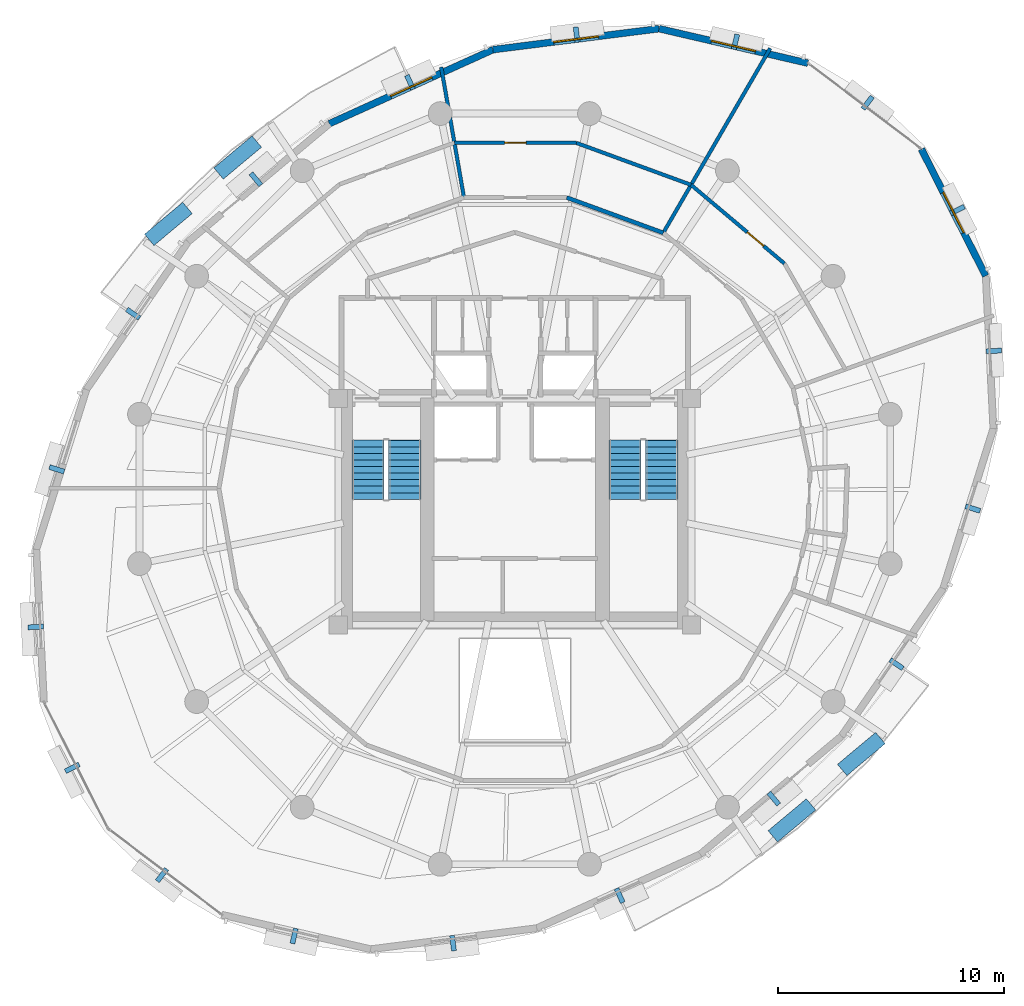
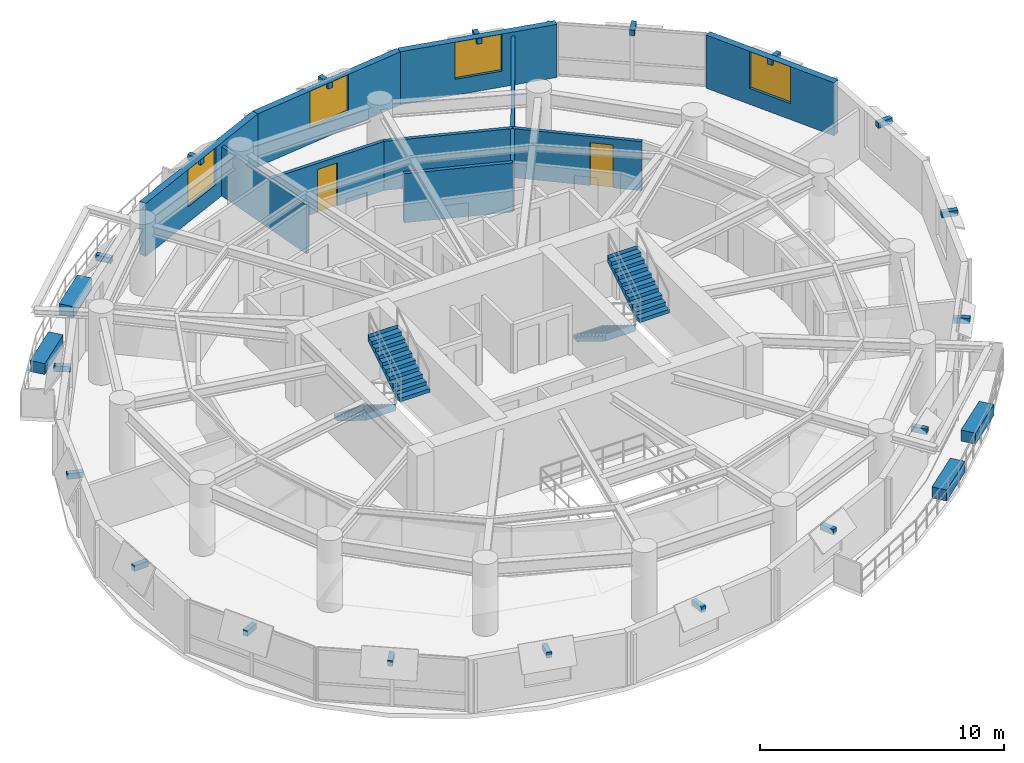
# One storey, part 10 of 12: 22 discrete accessories, 10 walls, 4 stair flights, 4 windows, 2 doors, 6 openings, 2 elements without a shape of their own.
"""IFC4 building model written with IfcOpenShell, lengths in metres."""

from ifc_helpers import new_model, si_unit, direction, frame, frame_2d, origin, origin_2d, place, context, subcontext, project, spatial, polyline, rectangle, outline, extrude, material, layer, layer_set, type_object, element, fill, aggregate, save


model = new_model("IFC4")

# Units and contexts
model_context = context("Model", 3, precision=1e-05, world=origin(), true_north=direction((0.0, 1.0)))
body_context = subcontext(model_context, "Body", "Model", "MODEL_VIEW")
ifc_project = project(units=[si_unit("LENGTHUNIT", "METRE"), si_unit("AREAUNIT", "SQUARE_METRE"), si_unit("VOLUMEUNIT", "CUBIC_METRE"), si_unit("PLANEANGLEUNIT", "RADIAN"), si_unit("MASSUNIT", "GRAM", prefix="KILO"), si_unit("THERMODYNAMICTEMPERATUREUNIT", "KELVIN"), si_unit("POWERUNIT", "WATT")], contexts=[model_context])

# Site, building, storey
site_placement = place(None, origin())
site = spatial("IfcSite", under=ifc_project, at=site_placement, CompositionType="ELEMENT")
building_placement = place(site_placement, origin())
building = spatial("IfcBuilding", under=site, at=building_placement, Name="Ocrelia Relay Tower", CompositionType="ELEMENT")
storey_placement = place(building_placement, frame((0.0, 0.0, 198.800048828125)))
storey = spatial("IfcBuildingStorey", under=building, at=storey_placement, Name="L48", CompositionType="ELEMENT", Elevation=198.800048828125)

# Wall
ifc_material_1 = material(Name="Gypsum Fireboard Partition EI60", Category="gypsum")
ifc_layer_1 = layer(ifc_material_1, 0.179931640625, Name="Gypsum Fireboard Partition EI60")
ifc_layer_set_1 = layer_set([ifc_layer_1], Name="Gypsum Fireboard Partition EI60")
wall_type_1 = type_object("IfcWallType", Name="W-CORR-EI60-180", PredefinedType="PARTITIONING", material=ifc_layer_set_1)
wall_1_placement = place(storey_placement, frame((40.5546875, 37.3076171875, 0.0), z_axis=(0.0, 0.0, 1.0), x_axis=(-0.93910210925, 0.343638223139, 0.0)))
element("IfcWall", 1, at=wall_1_placement, inside=storey, type_object=wall_type_1, Name="L48 Security Office C Corridor Partition 1", PredefinedType="PARTITIONING", context=body_context, shape_type="SweptSolid", body=[
    extrude(rectangle(XDim=4.5390625, YDim=0.179931640625, at=frame_2d((2.26953125, 0.0))), origin(), (0.0, 0.0, 1.0), 2.4599609375),
])

# Wall, opening, window
ifc_material_2 = material(Name="Precast concrete C40/50 with oxide terracotta", Category="masonry")
ifc_layer_2 = layer(ifc_material_2, 0.300048828125, Name="Precast concrete C40/50 with oxide terracotta")
ifc_layer_set_2 = layer_set([ifc_layer_2], Name="Precast concrete C40/50 with oxide terracotta")
wall_type_2 = type_object("IfcWallType", Name="W-EXT-TERR-300", PredefinedType="SOLIDWALL", material=ifc_layer_set_2)
wall_2_placement = place(storey_placement, frame((46.94189453125, 44.801513671875, 0.0), z_axis=(0.0, 0.0, 1.0), x_axis=(-0.9741502795, 0.225900936141, 0.0)))
wall_2 = element("IfcWall", 2, at=wall_2_placement, inside=storey, type_object=wall_type_2, Name="L48 Oxide Terracotta Facade Wall 02", PredefinedType="SOLIDWALL", context=body_context, shape_type="SweptSolid", body=[
    extrude(rectangle(XDim=6.744873046875, YDim=0.300048828125, at=frame_2d((3.37255859375, 0.0))), origin(), (0.0, 0.0, 1.0), 2.659912109375),
])
opening_1_placement = place(wall_2_placement, frame((2.373046875, 0.0, 0.800048828125)))
opening_1 = element("IfcOpeningElement", 3, at=opening_1_placement, cuts=wall_2, Name="Opening W-03", PredefinedType="OPENING", context=body_context, shape_type="SweptSolid", body=[
    extrude(rectangle(XDim=2.0, YDim=1.85009765625, at=frame_2d((1.0, 0.925048828125))), frame((0.0, 0.16015625, 0.0), z_axis=(0.0, -1.0, 0.0), x_axis=(1.0, 0.0, 0.0)), (0.0, 0.0, 1.0), 0.320068359375),
])
ifc_material_3 = material(Name="Clear double-glazed low-E glass", Category="glass")
window_type = type_object("IfcWindowType", Name="WIN-Z3-2000x2200", PartitioningType="DOUBLE_PANEL_VERTICAL", PredefinedType="WINDOW", material=ifc_material_3)
window_1_placement = place(opening_1_placement, origin())
window_1 = element("IfcWindow", 4, at=window_1_placement, inside=storey, type_object=window_type, Name="L48 Facade Module Window 02", OverallHeight=1.85009765625, OverallWidth=2.0, PartitioningType="SINGLE_PANEL", PredefinedType="WINDOW", context=body_context, shape_type="SweptSolid", body=[
    extrude(rectangle(XDim=2.0, YDim=1.85009765625, at=frame_2d((1.0, 0.925048828125))), frame((0.0, 0.030029296875, 0.0), z_axis=(0.0, -1.0, 0.0), x_axis=(1.0, 0.0, 0.0)), (0.0, 0.0, 1.0), 0.06005859375),
])
fill(opening_1, window_1)

wall_3_placement = place(storey_placement, frame((40.371337890625, 46.3251953125, 0.0), z_axis=(0.0, 0.0, 1.0), x_axis=(-0.992104797667, -0.12541160411, 0.0)))
wall_3 = element("IfcWall", 5, at=wall_3_placement, inside=storey, type_object=wall_type_2, Name="L48 Oxide Terracotta Facade Wall 03", PredefinedType="SOLIDWALL", context=body_context, shape_type="SweptSolid", body=[
    extrude(rectangle(XDim=7.3974609375, YDim=0.300048828125, at=frame_2d((3.69873046875, 0.0))), origin(), (0.0, 0.0, 1.0), 2.659912109375),
])
opening_2_placement = place(wall_3_placement, frame((2.698974609375, 0.0, 0.800048828125)))
opening_2 = element("IfcOpeningElement", 6, at=opening_2_placement, cuts=wall_3, Name="Opening W-03", PredefinedType="OPENING", context=body_context, shape_type="SweptSolid", body=[
    extrude(rectangle(XDim=2.0, YDim=1.85009765625, at=frame_2d((1.0, 0.925048828125))), frame((0.0, 0.16015625, 0.0), z_axis=(0.0, -1.0, 0.0), x_axis=(1.0, 0.0, 0.0)), (0.0, 0.0, 1.0), 0.320068359375),
])
window_2_placement = place(opening_2_placement, origin())
window_2 = element("IfcWindow", 7, at=window_2_placement, inside=storey, type_object=window_type, Name="L48 Facade Module Window 03", OverallHeight=1.85009765625, OverallWidth=2.0, PartitioningType="SINGLE_PANEL", PredefinedType="WINDOW", context=body_context, shape_type="SweptSolid", body=[
    extrude(rectangle(XDim=2.0, YDim=1.85009765625, at=frame_2d((1.0, 0.925048828125))), frame((0.0, 0.030029296875, 0.0), z_axis=(0.0, -1.0, 0.0), x_axis=(1.0, 0.0, 0.0)), (0.0, 0.0, 1.0), 0.06005859375),
])
fill(opening_2, window_2)

wall_4_placement = place(storey_placement, frame((33.0322265625, 45.3974609375, 0.0), z_axis=(0.0, 0.0, 1.0), x_axis=(-0.911105444466, -0.412173348318, 0.0)))
wall_4 = element("IfcWall", 8, at=wall_4_placement, inside=storey, type_object=wall_type_2, Name="L48 Oxide Terracotta Facade Wall 04", PredefinedType="SOLIDWALL", context=body_context, shape_type="SweptSolid", body=[
    extrude(rectangle(XDim=7.927001953125, YDim=0.300048828125, at=frame_2d((3.96337890625, 0.0))), origin(), (0.0, 0.0, 1.0), 2.659912109375),
])
opening_3_placement = place(wall_4_placement, frame((2.964111328125, 0.0, 0.800048828125)))
opening_3 = element("IfcOpeningElement", 9, at=opening_3_placement, cuts=wall_4, Name="Opening W-03", PredefinedType="OPENING", context=body_context, shape_type="SweptSolid", body=[
    extrude(rectangle(XDim=2.0, YDim=1.85009765625, at=frame_2d((1.0, 0.925048828125))), frame((0.0, 0.16015625, 0.0), z_axis=(0.0, -1.0, 0.0), x_axis=(1.0, 0.0, 0.0)), (0.0, 0.0, 1.0), 0.320068359375),
])
window_3_placement = place(opening_3_placement, origin())
window_3 = element("IfcWindow", 10, at=window_3_placement, inside=storey, type_object=window_type, Name="L48 Facade Module Window 04", OverallHeight=1.85009765625, OverallWidth=2.0, PartitioningType="SINGLE_PANEL", PredefinedType="WINDOW", context=body_context, shape_type="SweptSolid", body=[
    extrude(rectangle(XDim=2.0, YDim=1.85009765625, at=frame_2d((1.0, 0.925048828125))), frame((0.0, 0.030029296875, 0.0), z_axis=(0.0, -1.0, 0.0), x_axis=(1.0, 0.0, 0.0)), (0.0, 0.0, 1.0), 0.06005859375),
])
fill(opening_3, window_3)

wall_5_placement = place(storey_placement, frame((54.796142578125, 35.407958984375, 0.0), z_axis=(0.0, 0.0, 1.0), x_axis=(-0.452738464141, 0.891643360928, 0.0)))
wall_5 = element("IfcWall", 11, at=wall_5_placement, inside=storey, type_object=wall_type_2, Name="L48 Oxide Terracotta Facade Wall 18", PredefinedType="SOLIDWALL", context=body_context, shape_type="SweptSolid", body=[
    extrude(rectangle(XDim=6.282958984375, YDim=0.300048828125, at=frame_2d((3.1416015625, 0.0))), origin(), (0.0, 0.0, 1.0), 2.659912109375),
])
opening_4_placement = place(wall_5_placement, frame((2.14111328125, 0.0, 0.800048828125)))
opening_4 = element("IfcOpeningElement", 12, at=opening_4_placement, cuts=wall_5, Name="Opening W-03", PredefinedType="OPENING", context=body_context, shape_type="SweptSolid", body=[
    extrude(rectangle(XDim=2.0, YDim=1.85009765625, at=frame_2d((1.0, 0.925048828125))), frame((0.0, 0.16015625, 0.0), z_axis=(0.0, -1.0, 0.0), x_axis=(1.0, 0.0, 0.0)), (0.0, 0.0, 1.0), 0.320068359375),
])
window_4_placement = place(opening_4_placement, origin())
window_4 = element("IfcWindow", 13, at=window_4_placement, inside=storey, type_object=window_type, Name="L48 Facade Module Window 18", OverallHeight=1.85009765625, OverallWidth=2.0, PartitioningType="SINGLE_PANEL", PredefinedType="WINDOW", context=body_context, shape_type="SweptSolid", body=[
    extrude(rectangle(XDim=2.0, YDim=1.85009765625, at=frame_2d((1.0, 0.925048828125))), frame((0.0, 0.030029296875, 0.0), z_axis=(0.0, -1.0, 0.0), x_axis=(1.0, 0.0, 0.0)), (0.0, 0.0, 1.0), 0.06005859375),
])
fill(opening_4, window_4)

# Wall
ifc_material_4 = material(Name="Acoustic Fireboard Partition EI60", Category="gypsum")
ifc_layer_3 = layer(ifc_material_4, 0.159912109375, Name="Acoustic Fireboard Partition EI60")
ifc_layer_set_3 = layer_set([ifc_layer_3], Name="Acoustic Fireboard Partition EI60")
wall_type_3 = type_object("IfcWallType", Name="W-PART-160", PredefinedType="PARTITIONING", material=ifc_layer_set_3)
wall_6_placement = place(storey_placement, frame((40.5546875, 37.3076171875, 0.0), z_axis=(0.0, 0.0, 1.0), x_axis=(0.501515529592, 0.865148642476, 0.0)))
element("IfcWall", 14, at=wall_6_placement, inside=storey, type_object=wall_type_3, Name="L48 Telemetry Office B Radial Partition", PredefinedType="PARTITIONING", context=body_context, shape_type="SweptSolid", body=[
    extrude(rectangle(XDim=9.416259765625, YDim=0.159912109375, at=frame_2d((4.7080078125, 0.0))), origin(), (0.0, 0.0, 1.0), 2.4599609375),
])

# Wall, opening, door
wall_7_placement = place(storey_placement, frame((45.906494140625, 35.955322265625, 0.0), z_axis=(0.0, 0.0, 1.0), x_axis=(-0.764921769015, 0.644123192632, 0.0)))
wall_7 = element("IfcWall", 15, at=wall_7_placement, inside=storey, type_object=wall_type_3, Name="L48 Perimeter Telemetry Office B Mid-Ring Partition 2", PredefinedType="PARTITIONING", context=body_context, shape_type="SweptSolid", body=[
    extrude(rectangle(XDim=5.39013671875, YDim=0.159912109375, at=frame_2d((2.695068359375, 0.0))), origin(), (0.0, 0.0, 1.0), 2.4599609375),
])
opening_5_placement = place(wall_7_placement, frame((1.199951171875, 0.0, 0.0)))
opening_5 = element("IfcOpeningElement", 16, at=opening_5_placement, cuts=wall_7, Name="Opening D-RM95", PredefinedType="OPENING", context=body_context, shape_type="SweptSolid", body=[
    extrude(rectangle(XDim=0.949951171875, YDim=2.14990234375, at=frame_2d((0.47509765625, 1.074951171875))), frame((0.0, 0.08984375, 0.0), z_axis=(0.0, -1.0, 0.0), x_axis=(1.0, 0.0, 0.0)), (0.0, 0.0, 1.0), 0.179931640625),
])
ifc_material_5 = material(Name="Acoustic oak veneer fire door", Category="wood")
door_type = type_object("IfcDoorType", Name="DR-ROOM-950", OperationType="NOTDEFINED", PredefinedType="DOOR", material=ifc_material_5)
door_1_placement = place(opening_5_placement, origin())
door_1 = element("IfcDoor", 17, at=door_1_placement, inside=storey, type_object=door_type, Name="L48 Perimeter Telemetry Office B Connecting Door", OperationType="SINGLE_SWING_LEFT", OverallHeight=2.14990234375, OverallWidth=0.949951171875, PredefinedType="DOOR", context=body_context, shape_type="SweptSolid", body=[
    extrude(rectangle(XDim=0.949951171875, YDim=2.14990234375, at=frame_2d((0.47509765625, 1.074951171875))), frame((0.0, 0.02490234375, 0.0), z_axis=(0.0, -1.0, 0.0), x_axis=(1.0, 0.0, 0.0)), (0.0, 0.0, 1.0), 0.050048828125),
])
fill(opening_5, door_1)

# Walls
wall_8_placement = place(storey_placement, frame((31.7529296875, 38.87548828125, 0.0), z_axis=(0.0, 0.0, 1.0), x_axis=(-0.17194304069, 0.985106893062, 0.0)))
element("IfcWall", 18, at=wall_8_placement, inside=storey, type_object=wall_type_3, Name="L48 Security Office C Radial Partition", PredefinedType="PARTITIONING", context=body_context, shape_type="SweptSolid", body=[
    extrude(rectangle(XDim=5.837158203125, YDim=0.159912109375, at=frame_2d((2.91845703125, 0.0))), origin(), (0.0, 0.0, 1.0), 2.4599609375),
])
wall_9_placement = place(storey_placement, frame((41.783447265625, 39.42724609375, 0.0), z_axis=(0.0, 0.0, 1.0), x_axis=(-0.939097184028, 0.343651682594, 0.0)))
element("IfcWall", 19, at=wall_9_placement, inside=storey, type_object=wall_type_3, Name="L48 Perimeter Security Office C Mid-Ring Partition 1", PredefinedType="PARTITIONING", context=body_context, shape_type="SweptSolid", body=[
    extrude(rectangle(XDim=5.39013671875, YDim=0.159912109375, at=frame_2d((2.695068359375, 0.0))), origin(), (0.0, 0.0, 1.0), 2.4599609375),
])

# Wall, opening, door
wall_10_placement = place(storey_placement, frame((36.7216796875, 41.279541015625, 0.0), z_axis=(0.0, 0.0, 1.0), x_axis=(-0.999998518655, 0.001721245808, 0.0)))
wall_10 = element("IfcWall", 20, at=wall_10_placement, inside=storey, type_object=wall_type_3, Name="L48 Perimeter Security Office C Mid-Ring Partition 2", PredefinedType="PARTITIONING", context=body_context, shape_type="SweptSolid", body=[
    extrude(rectangle(XDim=5.389892578125, YDim=0.159912109375, at=frame_2d((2.69482421875, 0.0))), origin(), (0.0, 0.0, 1.0), 2.4599609375),
])
opening_6_placement = place(wall_10_placement, frame((2.219970703125, 0.0, 0.0)))
opening_6 = element("IfcOpeningElement", 21, at=opening_6_placement, cuts=wall_10, Name="Opening D-RM95", PredefinedType="OPENING", context=body_context, shape_type="SweptSolid", body=[
    extrude(rectangle(XDim=0.949951171875, YDim=2.14990234375, at=frame_2d((0.47509765625, 1.074951171875))), frame((0.0, 0.08984375, 0.0), z_axis=(0.0, -1.0, 0.0), x_axis=(1.0, 0.0, 0.0)), (0.0, 0.0, 1.0), 0.179931640625),
])
door_2_placement = place(opening_6_placement, origin())
door_2 = element("IfcDoor", 22, at=door_2_placement, inside=storey, type_object=door_type, Name="L48 Perimeter Security Office C Connecting Door", OperationType="SINGLE_SWING_LEFT", OverallHeight=2.14990234375, OverallWidth=0.949951171875, PredefinedType="DOOR", context=body_context, shape_type="SweptSolid", body=[
    extrude(rectangle(XDim=0.949951171875, YDim=2.14990234375, at=frame_2d((0.47509765625, 1.074951171875))), frame((0.0, 0.02490234375, 0.0), z_axis=(0.0, -1.0, 0.0), x_axis=(1.0, 0.0, 0.0)), (0.0, 0.0, 1.0), 0.050048828125),
])
fill(opening_6, door_2)

# Stair, stair flights
ifc_material_6 = material(Name="Concrete C50/60", Category="concrete")
stair_type = type_object("IfcStairType", Name="ST-DL-1420-R180", PredefinedType="HALF_TURN_STAIR", material=ifc_material_6)
stair_1_placement = place(storey_placement, origin())
stair_1 = element("IfcStair", 23, at=stair_1_placement, inside=storey, type_object=stair_type, Name="L48 West Core Exit Stair ST1", PredefinedType="HALF_TURN_STAIR")
stair_flight_type = type_object("IfcStairFlightType", Name="STF-DL-1420-R180", PredefinedType="STRAIGHT", material=ifc_material_6)
stair_flight_1_placement = place(storey_placement, frame((27.52001953125, 28.14990234375, 0.0), z_axis=(0.0, 0.0, 1.0), x_axis=(0.0, -1.0, 0.0)))
stair_flight_1 = element("IfcStairFlight", 24, at=stair_flight_1_placement, type_object=stair_flight_type, Name="ST1 flight 1", NumberOfRisers=10, NumberOfTreads=9, PredefinedType="STRAIGHT", RiserHeight=0.18, TreadLength=0.29, context=body_context, shape_type="SweptSolid", body=[
    extrude(outline(polyline([(-0.008056640625, 0.0), (-0.008056640625, 0.179931640625), (0.0, 0.179931640625), (0.2900390625, 0.179931640625), (0.2900390625, 0.360107421875), (0.580078125, 0.360107421875), (0.580078125, 0.5400390625), (0.8701171875, 0.5400390625), (0.8701171875, 0.719970703125), (1.159912109375, 0.719970703125), (1.159912109375, 0.89990234375), (1.449951171875, 0.89990234375), (1.449951171875, 1.080078125), (1.739990234375, 1.080078125), (1.739990234375, 1.260009765625), (2.030029296875, 1.260009765625), (2.030029296875, 1.43994140625), (2.320068359375, 1.43994140625), (2.320068359375, 1.6201171875), (2.610107421875, 1.6201171875), (2.610107421875, 1.800048828125), (2.617919921875, 1.800048828125), (2.617919921875, 1.443603515625), (0.2841796875, 0.0), (-0.008056640625, 0.0)])), frame((0.0, 0.7099609375, 0.0), z_axis=(0.0, -1.0, 0.0), x_axis=(1.0, 0.0, 0.0)), (0.0, 0.0, 1.0), 1.419921875),
])
stair_flight_2_placement = place(storey_placement, frame((29.139892578125, 25.5400390625, 1.800048828125), z_axis=(0.0, 0.0, 1.0), x_axis=(0.0, 1.0, 0.0)))
stair_flight_2 = element("IfcStairFlight", 25, at=stair_flight_2_placement, type_object=stair_flight_type, Name="ST1 flight 2", NumberOfRisers=10, NumberOfTreads=9, PredefinedType="STRAIGHT", RiserHeight=0.18, TreadLength=0.29, context=body_context, shape_type="SweptSolid", body=[
    extrude(outline(polyline([(-0.008056640625, 0.0), (-0.008056640625, 0.179931640625), (0.0, 0.179931640625), (0.2900390625, 0.179931640625), (0.2900390625, 0.360107421875), (0.580078125, 0.360107421875), (0.580078125, 0.5400390625), (0.8701171875, 0.5400390625), (0.8701171875, 0.719970703125), (1.159912109375, 0.719970703125), (1.159912109375, 0.89990234375), (1.449951171875, 0.89990234375), (1.449951171875, 1.080078125), (1.739990234375, 1.080078125), (1.739990234375, 1.260009765625), (2.030029296875, 1.260009765625), (2.030029296875, 1.43994140625), (2.320068359375, 1.43994140625), (2.320068359375, 1.6201171875), (2.610107421875, 1.6201171875), (2.610107421875, 1.800048828125), (2.617919921875, 1.800048828125), (2.617919921875, 1.443603515625), (0.2841796875, 0.0), (-0.008056640625, 0.0)])), frame((0.0, 0.7099609375, 0.0), z_axis=(0.0, -1.0, 0.0), x_axis=(1.0, 0.0, 0.0)), (0.0, 0.0, 1.0), 1.419921875),
])
aggregate(stair_1, [stair_flight_1, stair_flight_2])

stair_2_placement = place(storey_placement, origin())
stair_2 = element("IfcStair", 26, at=stair_2_placement, inside=storey, type_object=stair_type, Name="L48 East Core Exit Stair ST2", PredefinedType="HALF_TURN_STAIR")
stair_flight_3_placement = place(storey_placement, frame((38.8701171875, 28.14990234375, 0.0), z_axis=(0.0, 0.0, 1.0), x_axis=(0.0, -1.0, 0.0)))
stair_flight_3 = element("IfcStairFlight", 27, at=stair_flight_3_placement, type_object=stair_flight_type, Name="ST2 flight 1", NumberOfRisers=10, NumberOfTreads=9, PredefinedType="STRAIGHT", RiserHeight=0.18, TreadLength=0.29, context=body_context, shape_type="SweptSolid", body=[
    extrude(outline(polyline([(-0.008056640625, 0.0), (-0.008056640625, 0.179931640625), (0.0, 0.179931640625), (0.2900390625, 0.179931640625), (0.2900390625, 0.360107421875), (0.580078125, 0.360107421875), (0.580078125, 0.5400390625), (0.8701171875, 0.5400390625), (0.8701171875, 0.719970703125), (1.159912109375, 0.719970703125), (1.159912109375, 0.89990234375), (1.449951171875, 0.89990234375), (1.449951171875, 1.080078125), (1.739990234375, 1.080078125), (1.739990234375, 1.260009765625), (2.030029296875, 1.260009765625), (2.030029296875, 1.43994140625), (2.320068359375, 1.43994140625), (2.320068359375, 1.6201171875), (2.610107421875, 1.6201171875), (2.610107421875, 1.800048828125), (2.617919921875, 1.800048828125), (2.617919921875, 1.443603515625), (0.2841796875, 0.0), (-0.008056640625, 0.0)])), frame((0.0, 0.7099609375, 0.0), z_axis=(0.0, -1.0, 0.0), x_axis=(1.0, 0.0, 0.0)), (0.0, 0.0, 1.0), 1.419921875),
])
stair_flight_4_placement = place(storey_placement, frame((40.489990234375, 25.5400390625, 1.800048828125), z_axis=(0.0, 0.0, 1.0), x_axis=(0.0, 1.0, 0.0)))
stair_flight_4 = element("IfcStairFlight", 28, at=stair_flight_4_placement, type_object=stair_flight_type, Name="ST2 flight 2", NumberOfRisers=10, NumberOfTreads=9, PredefinedType="STRAIGHT", RiserHeight=0.18, TreadLength=0.29, context=body_context, shape_type="SweptSolid", body=[
    extrude(outline(polyline([(-0.008056640625, 0.0), (-0.008056640625, 0.179931640625), (0.0, 0.179931640625), (0.2900390625, 0.179931640625), (0.2900390625, 0.360107421875), (0.580078125, 0.360107421875), (0.580078125, 0.5400390625), (0.8701171875, 0.5400390625), (0.8701171875, 0.719970703125), (1.159912109375, 0.719970703125), (1.159912109375, 0.89990234375), (1.449951171875, 0.89990234375), (1.449951171875, 1.080078125), (1.739990234375, 1.080078125), (1.739990234375, 1.260009765625), (2.030029296875, 1.260009765625), (2.030029296875, 1.43994140625), (2.320068359375, 1.43994140625), (2.320068359375, 1.6201171875), (2.610107421875, 1.6201171875), (2.610107421875, 1.800048828125), (2.617919921875, 1.800048828125), (2.617919921875, 1.443603515625), (0.2841796875, 0.0), (-0.008056640625, 0.0)])), frame((0.0, 0.7099609375, 0.0), z_axis=(0.0, -1.0, 0.0), x_axis=(1.0, 0.0, 0.0)), (0.0, 0.0, 1.0), 1.419921875),
])
aggregate(stair_2, [stair_flight_3, stair_flight_4])

# Discrete accessories
ifc_material_7 = material(Name="Precast concrete C40/50 planter with highland greenery", Category="concrete")
discrete_accessory_type_1 = type_object("IfcDiscreteAccessoryType", Name="ACC-BALC-PLANTER", PredefinedType="USERDEFINED", material=ifc_material_7)
for number, where, z_axis, x_axis, name in (
    (29, (21.762939453125, 40.635498046875, 0.0), (0.0, 0.0, 1.0), (0.767164472881, 0.641450443565, 0.0), "L48 Balcony Terracotta Planter with Greenery B1"),
    (30, (18.7001953125, 37.704833984375, 0.0), (0.0, 0.0, 1.0), (0.767164472881, 0.641450443565, 0.0), "L48 Balcony Terracotta Planter B1-2"),
    (31, (46.237060546875, 11.364501953125, 0.0), (0.0, 0.0, 1.0), (-0.767164472881, -0.641450443565, 0.0), "L48 Balcony Terracotta Planter with Greenery B2"),
    (32, (49.2998046875, 14.295166015625, 0.0), (0.0, 0.0, 1.0), (-0.767164472881, -0.641450443565, 0.0), "L48 Balcony Terracotta Planter B2-2"),
):
    element("IfcDiscreteAccessory", number, at=place(storey_placement, frame(where, z_axis=z_axis, x_axis=x_axis)), inside=storey, type_object=discrete_accessory_type_1, Name=name, ObjectType="PLANTER", PredefinedType="USERDEFINED", context=body_context, shape_type="SweptSolid", body=[
        extrude(rectangle(XDim=2.199951171875, YDim=0.64990234375, at=origin_2d()), origin(), (0.0, 0.0, 1.0), 0.550048828125),
    ])
ifc_material_8 = material(Name="Steel S355", Category="steel")
discrete_accessory_type_2 = type_object("IfcDiscreteAccessoryType", Name="ACC-VISOR-BRACKET", PredefinedType="BRACKET", material=ifc_material_8)
for number, where, z_axis, x_axis, name in (
    (33, (49.581787109375, 43.05322265625, 2.35986328125), (0.0, 0.0, 1.0), (-0.79737761196, 0.603480690615, 0.0), "L48 Visor Mounting Bracket 01"),
    (34, (43.7451171875, 45.74267578125, 2.35986328125), (0.0, 0.0, 1.0), (-0.974147502507, 0.225912911006, 0.0), "L48 Visor Mounting Bracket 02"),
    (35, (36.728759765625, 46.0595703125, 2.35986328125), (0.0, 0.0, 1.0), (-0.992103669772, -0.125420526332, 0.0), "L48 Visor Mounting Bracket 03"),
    (36, (29.37109375, 43.95751953125, 2.35986328125), (0.0, 0.0, 1.0), (-0.911106794906, -0.412170363171, 0.0), "L48 Visor Mounting Bracket 04"),
    (37, (22.564208984375, 39.677001953125, 2.35986328125), (0.0, 0.0, 1.0), (-0.767167255551, -0.641447115521, 0.0), "L48 Visor Mounting Bracket 05"),
    (38, (17.14599609375, 33.73583984375, 2.35986328125), (0.0, 0.0, 1.0), (-0.567002541397, -0.823716042122, 0.0), "L48 Visor Mounting Bracket 06"),
    (39, (13.7744140625, 26.86669921875, 2.35986328125), (0.0, 0.0, 1.0), (-0.299115406191, -0.954216942723, 0.0), "L48 Visor Mounting Bracket 07"),
    (40, (12.84375, 19.905029296875, 2.35986328125), (0.0, 0.0, 1.0), (0.049828920053, -0.998757767793, 0.0), "L48 Visor Mounting Bracket 08"),
    (41, (14.456787109375, 13.684326171875, 2.35986328125), (0.0, 0.0, 1.0), (0.4527377224, -0.891643737552, 0.0), "L48 Visor Mounting Bracket 09"),
    (42, (18.418212890625, 8.94677734375, 2.35986328125), (0.0, 0.0, 1.0), (0.79737761196, -0.603480690615, 0.0), "L48 Visor Mounting Bracket 10"),
    (43, (24.2548828125, 6.25732421875, 2.35986328125), (0.0, 0.0, 1.0), (0.974147502507, -0.225912911006, 0.0), "L48 Visor Mounting Bracket 11"),
    (44, (31.271240234375, 5.9404296875, 2.35986328125), (0.0, 0.0, 1.0), (0.992103669772, 0.125420526332, 0.0), "L48 Visor Mounting Bracket 12"),
    (45, (38.62890625, 8.04248046875, 2.35986328125), (0.0, 0.0, 1.0), (0.911106794906, 0.412170363171, 0.0), "L48 Visor Mounting Bracket 13"),
    (46, (45.435791015625, 12.322998046875, 2.35986328125), (0.0, 0.0, 1.0), (0.767167255551, 0.641447115521, 0.0), "L48 Visor Mounting Bracket 14"),
    (47, (50.85400390625, 18.26416015625, 2.35986328125), (0.0, 0.0, 1.0), (0.567002541397, 0.823716042122, 0.0), "L48 Visor Mounting Bracket 15"),
    (48, (54.2255859375, 25.13330078125, 2.35986328125), (0.0, 0.0, 1.0), (0.299115406191, 0.954216942723, 0.0), "L48 Visor Mounting Bracket 16"),
    (49, (55.15625, 32.094970703125, 2.35986328125), (0.0, 0.0, 1.0), (-0.049828920053, 0.998757767793, 0.0), "L48 Visor Mounting Bracket 17"),
    (50, (53.543212890625, 38.315673828125, 2.35986328125), (0.0, 0.0, 1.0), (-0.4527377224, 0.891643737552, 0.0), "L48 Visor Mounting Bracket 18"),
):
    element("IfcDiscreteAccessory", number, at=place(storey_placement, frame(where, z_axis=z_axis, x_axis=x_axis)), inside=storey, type_object=discrete_accessory_type_2, Name=name, PredefinedType="BRACKET", context=body_context, shape_type="SweptSolid", body=[
        extrude(rectangle(XDim=0.219970703125, YDim=0.679931640625, at=origin_2d()), origin(), (0.0, 0.0, 1.0), 0.280029296875),
    ])

save(model, "model.ifc")
